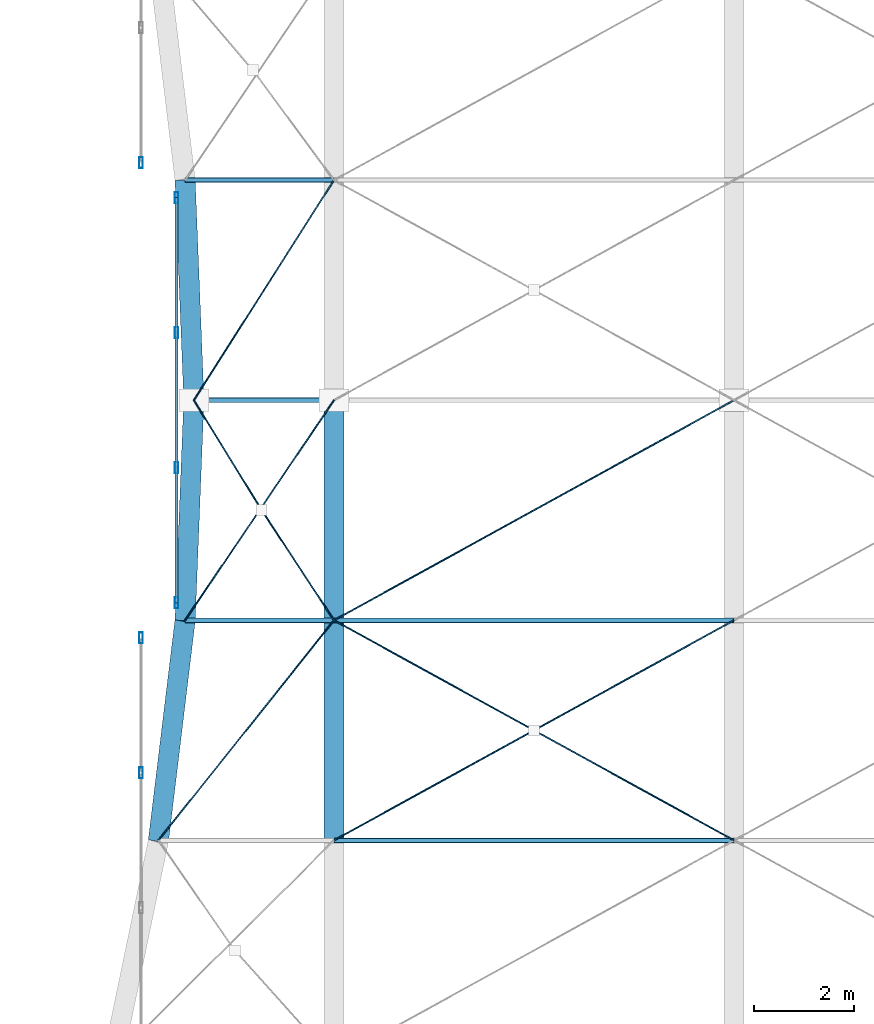
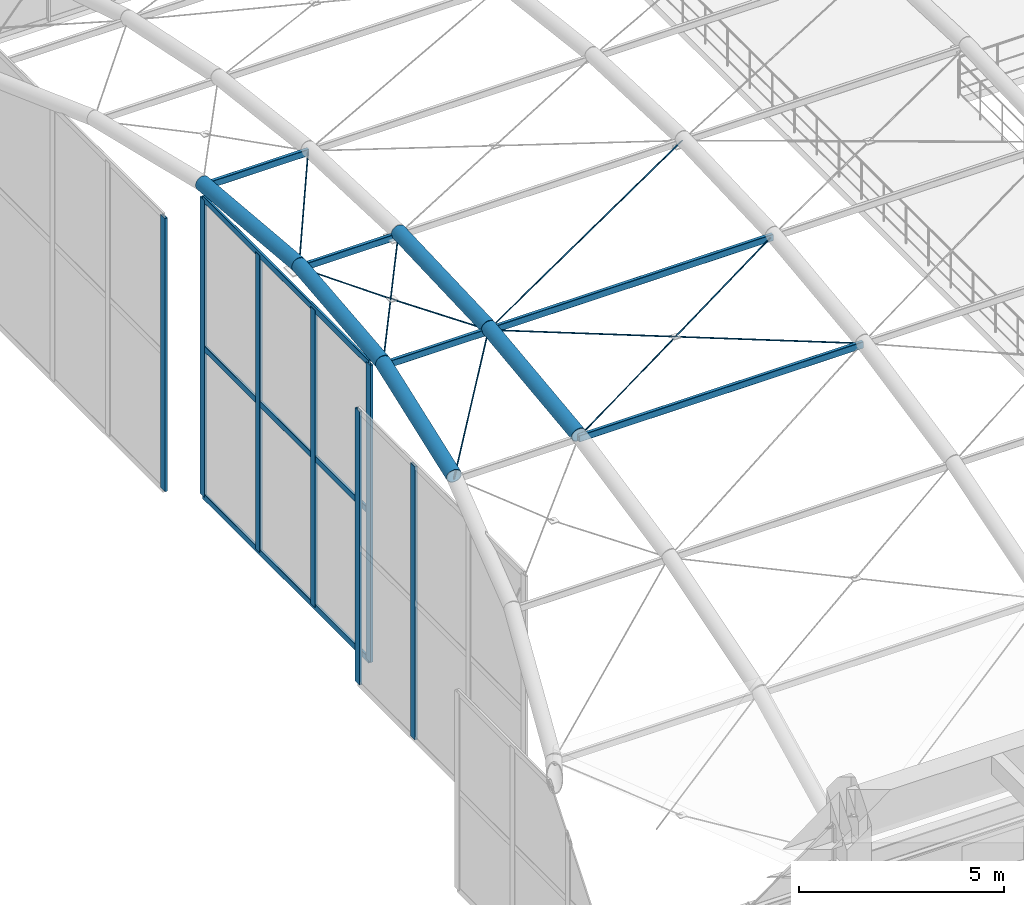
# One storey, part 14 of 144: 19 members, 10 beams, 3 elements without a shape of their own.
"""IFC4 building model written with IfcOpenShell, lengths in metres."""

import ifcopenshell
import ifcopenshell.guid

model = None  # the IFC model being written
_history = None  # IfcOwnerHistory: only IFC2X3 demands one
_inside = {}  # id of a spatial element -> (the spatial element, [elements in it])
_under = {}  # id of a project, library or spatial element -> (it, [spatial elements below it])
_declared = {}  # id of a project -> (the project, [libraries it declares])
_typed = {}  # id of a type object -> (the type object, [elements of that type])
_made_of = {}  # id of a material, layer set ... -> (it, [elements and type objects made of it])


def new_model(schema):
    """Start an empty IFC model of exactly this schema.

    Asked for "IFC4X3", IfcOpenShell would pick the latest addendum, in which some entities
    have other attributes; the version numbers below select the first issue.
    IFC2X3 requires an IfcOwnerHistory on every rooted entity: one is made here for all.
    """
    global model, _history
    if schema == "IFC4X3":
        model = ifcopenshell.file(schema_version=(4, 3, 0, 0))
    else:
        model = ifcopenshell.file(schema=schema)
    _inside.clear()
    _under.clear()
    _declared.clear()
    _typed.clear()
    _made_of.clear()
    _history = None
    if model.schema == "IFC2X3":
        org = make("IfcOrganization", Name="unknown")
        user = make(
            "IfcPersonAndOrganization",
            ThePerson=make("IfcPerson", FamilyName="unknown"),
            TheOrganization=org,
        )
        app = make(
            "IfcApplication",
            ApplicationDeveloper=org,
            Version="unknown",
            ApplicationFullName="unknown",
            ApplicationIdentifier="unknown",
        )
        _history = make(
            "IfcOwnerHistory",
            OwningUser=user,
            OwningApplication=app,
            ChangeAction="ADDED",
            CreationDate=0,
        )
    return model


def make(cls, **values):
    """One entity of the class cls with the attributes given. An attribute that is None is left unset."""
    return model.create_entity(
        cls, **{name: value for name, value in values.items() if value is not None}
    )


def rooted(cls, **values):
    """An entity with a GlobalId (a new one), such as an element, a storey or a relation."""
    return make(cls, GlobalId=ifcopenshell.guid.new(), OwnerHistory=_history, **values)


def si_unit(unit_type, name, prefix=None):
    """IfcSIUnit, for example si_unit("LENGTHUNIT", "METRE", prefix="MILLI")."""
    return make("IfcSIUnit", UnitType=unit_type, Prefix=prefix, Name=name)


def assignment(units):
    """IfcUnitAssignment: the units of a project."""
    return None if units is None else make("IfcUnitAssignment", Units=units)


def point(xyz):
    """IfcCartesianPoint."""
    return None if xyz is None else make("IfcCartesianPoint", Coordinates=xyz)


def direction(xyz):
    """IfcDirection."""
    return None if xyz is None else make("IfcDirection", DirectionRatios=xyz)


def frame(location, z_axis=None, x_axis=None):
    """IfcAxis2Placement3D, a coordinate frame: its origin and axes. An axis left out is left unset."""
    return make(
        "IfcAxis2Placement3D",
        Location=point(location),
        Axis=direction(z_axis),
        RefDirection=direction(x_axis),
    )


def frame_2d(location, x_axis=None):
    """IfcAxis2Placement2D, a coordinate frame in the plane: its origin and x axis."""
    return make(
        "IfcAxis2Placement2D", Location=point(location), RefDirection=direction(x_axis)
    )


def origin():
    """The frame at (0, 0, 0) with its axes left unset."""
    return frame((0.0, 0.0, 0.0))


def origin_2d():
    """The frame at (0, 0) in the plane with its x axis left unset."""
    return frame_2d((0.0, 0.0))


def place(relative_to, where):
    """IfcLocalPlacement: puts the frame where relative to a parent placement (None: the world)."""
    return make(
        "IfcLocalPlacement", PlacementRelTo=relative_to, RelativePlacement=where
    )


def context(
    kind, dimensions, precision=None, world=None, true_north=None, identifier=None
):
    """IfcGeometricRepresentationContext, for example the 3D "Model" context."""
    return make(
        "IfcGeometricRepresentationContext",
        ContextIdentifier=identifier,
        ContextType=kind,
        CoordinateSpaceDimension=dimensions,
        Precision=precision,
        WorldCoordinateSystem=world,
        TrueNorth=true_north,
    )


def subcontext(parent, identifier, kind, view, scale=None):
    """IfcGeometricRepresentationSubContext, for example "Body" below "Model"."""
    return make(
        "IfcGeometricRepresentationSubContext",
        ContextIdentifier=identifier,
        ContextType=kind,
        ParentContext=parent,
        TargetScale=scale,
        TargetView=view,
    )


def project(units=None, contexts=None):
    """IfcProject with its units and contexts."""
    return rooted(
        "IfcProject",
        Name="project",
        RepresentationContexts=contexts,
        UnitsInContext=assignment(units),
    )


def spatial(cls, under=None, at=None, **own):
    """A site, building, storey or space (cls), placed at a placement, below another one or the project."""
    s = rooted(cls, ObjectPlacement=at, **own)
    if under is not None:
        _under.setdefault(under.id(), (under, []))[1].append(s)
    return s


def profile(cls, at=None, kind="AREA", **sizes):
    """A parametric profile (cls). Its sizes go by their IFC names, for example OverallWidth=200.0."""
    return make(cls, ProfileType=kind, Position=at, **sizes)


def hollow_rectangle(**sizes):
    """IfcRectangleHollowProfileDef."""
    return profile("IfcRectangleHollowProfileDef", **sizes)


def circle(**sizes):
    """IfcCircleProfileDef."""
    return profile("IfcCircleProfileDef", **sizes)


def hollow_circle(**sizes):
    """IfcCircleHollowProfileDef."""
    return profile("IfcCircleHollowProfileDef", **sizes)


def extrude(swept, where, along, depth):
    """IfcExtrudedAreaSolid: the profile swept, set in the frame where, extruded along a direction by depth."""
    return make(
        "IfcExtrudedAreaSolid",
        SweptArea=swept,
        Position=where,
        ExtrudedDirection=direction(along),
        Depth=depth,
    )


def shape(context_of_items, identifier, shape_type, items):
    """IfcShapeRepresentation: the items that make up one representation, for example the "Body"."""
    return make(
        "IfcShapeRepresentation",
        ContextOfItems=context_of_items,
        RepresentationIdentifier=identifier,
        RepresentationType=shape_type,
        Items=items,
    )


def material(Name=None, Category=None):
    """IfcMaterial."""
    return make("IfcMaterial", Name=Name, Category=Category)


def material_profile(
    of_material, cross_section, Name=None, Category=None, Priority=None
):
    """IfcMaterialProfile: a cross section and its material."""
    return make(
        "IfcMaterialProfile",
        Name=Name,
        Material=of_material,
        Profile=cross_section,
        Priority=Priority,
        Category=Category,
    )


def profile_set(profiles, Name=None, composite=None):
    """IfcMaterialProfileSet."""
    return make(
        "IfcMaterialProfileSet",
        Name=Name,
        MaterialProfiles=profiles,
        CompositeProfile=composite,
    )


def made_of(thing, what):
    """Note that an element or type object is made of a material, layer set ...; save() writes the relation."""
    if what is not None:
        _made_of.setdefault(what.id(), (what, []))[1].append(thing)
    return thing


def type_object(cls, material=None, **own):
    """A type object (cls), such as IfcWallType, which elements share."""
    return made_of(rooted(cls, **own), material)


def element(
    cls,
    number,
    at=None,
    inside=None,
    cuts=None,
    type_object=None,
    material=None,
    context=None,
    identifier="Body",
    shape_type=None,
    held_by="IfcProductDefinitionShape",
    body=None,
    shapes=None,
    **own,
):
    """One element of the class cls, such as IfcWall. Its Tag is "e" and its number.

    at: its placement. inside: the storey or other place that contains it. cuts: it is an
    opening in that element (IfcRelVoidsElement). A single representation is given by context,
    identifier, shape_type and body (its items); several are given by shapes. held_by: the class
    of the entity that holds the representations. save() writes the other relations.
    """
    e = rooted(cls, Tag="e%d" % number, ObjectPlacement=at, **own)
    if body is not None:
        shapes = [shape(context, identifier, shape_type, body)]
    if shapes is not None:
        e.Representation = make(held_by, Representations=shapes)
    if inside is not None:
        _inside.setdefault(inside.id(), (inside, []))[1].append(e)
    if cuts is not None:
        rooted(
            "IfcRelVoidsElement", RelatingBuildingElement=cuts, RelatedOpeningElement=e
        )
    if type_object is not None:
        _typed.setdefault(type_object.id(), (type_object, []))[1].append(e)
    return made_of(e, material)


def aggregate(whole, parts):
    """IfcRelAggregates: a whole, such as a stair, and the parts it consists of."""
    return rooted("IfcRelAggregates", RelatingObject=whole, RelatedObjects=parts)


def save(model, path):
    """Write the relations noted so far, then the file.

    IfcRelAggregates (storeys below a building ...), IfcRelContainedInSpatialStructure (elements
    in a storey), IfcRelDefinesByType, IfcRelAssociatesMaterial and IfcRelDeclares: one each for
    every whole, place, type object, material and project.
    """
    for whole, parts in _under.values():
        aggregate(whole, parts)
    for where, things in _inside.values():
        rooted(
            "IfcRelContainedInSpatialStructure",
            RelatedElements=things,
            RelatingStructure=where,
        )
    for kind, things in _typed.values():
        rooted("IfcRelDefinesByType", RelatedObjects=things, RelatingType=kind)
    for what, things in _made_of.values():
        rooted("IfcRelAssociatesMaterial", RelatedObjects=things, RelatingMaterial=what)
    for by, libraries in _declared.values():
        rooted("IfcRelDeclares", RelatingContext=by, RelatedDefinitions=libraries)
    model.write(path)


model = new_model("IFC4")

# Units and contexts
model_context = context("Model", 3, precision=1e-05, world=origin(), true_north=direction((0.0, 1.0)))
body_context = subcontext(model_context, "Body", "Model", "MODEL_VIEW")
ifc_project = project(units=[si_unit("LENGTHUNIT", "METRE"), si_unit("AREAUNIT", "SQUARE_METRE"), si_unit("VOLUMEUNIT", "CUBIC_METRE"), si_unit("PLANEANGLEUNIT", "RADIAN"), si_unit("MASSUNIT", "GRAM", prefix="KILO")], contexts=[model_context])

# Site, building, storey
site_placement = place(None, origin())
site = spatial("IfcSite", under=ifc_project, at=site_placement, CompositionType="ELEMENT")
building_placement = place(site_placement, origin())
building = spatial("IfcBuilding", under=site, at=building_placement, Name="Varnabhumi Central Station", CompositionType="ELEMENT")
storey_placement = place(building_placement, frame((0.0, 0.0, 4.800048828125)))
storey = spatial("IfcBuildingStorey", under=building, at=storey_placement, Name="L01", CompositionType="ELEMENT", Elevation=4.800048828125)

# Beams
ifc_material_1 = material(Name="Structural steel E350", Category="steel")
ifc_material_profile_1 = material_profile(ifc_material_1, hollow_circle(Radius=0.203125, WallThickness=0.01611328125, at=origin_2d()), Name="Structural steel E350", Category="steel")
ifc_profile_set_1 = profile_set([ifc_material_profile_1], Name="Structural steel E350")
beam_type_1 = type_object("IfcBeamType", Name="BM-ARCH-CHS406", PredefinedType="BEAM", material=ifc_profile_set_1)
beam_1_placement = place(storey_placement, frame((4.491455078125, 49.199951171875, 7.291259765625), z_axis=(0.119383432495, 0.985637931225, 0.119438120279), x_axis=(-0.992744345989, 0.120244182838, 0.0)))
element("IfcBeam", 1, at=beam_1_placement, inside=storey, type_object=beam_type_1, Name="Forecourt Arrival Canopy Vault Arch Rib 1 Seg 4", PredefinedType="BEAM", context=body_context, shape_type="SweptSolid", body=[
    extrude(hollow_circle(Radius=0.203125, WallThickness=0.01611328125, at=origin_2d()), origin(), (0.0, 0.0, 1.0), 4.46435546875),
])
for number, where, z_axis, x_axis, name in (
    (2, (5.0244140625, 53.60009765625, 7.824462890625), (0.039832333677, 0.99841212452, 0.039832333677), (-0.999205116003, 0.039863970614, 0.0), "Forecourt Arrival Canopy Vault Arch Rib 1 Seg 5"),
    (3, (5.199951171875, 58.0, 8.0), (-0.039832333677, 0.99841212452, -0.039832333677), (-0.999205116003, -0.039863970614, 0.0), "Forecourt Arrival Canopy Vault Arch Rib 1 Seg 6"),
):
    element("IfcBeam", number, at=place(storey_placement, frame(where, z_axis=z_axis, x_axis=x_axis)), inside=storey, type_object=beam_type_1, Name=name, PredefinedType="BEAM", context=body_context, shape_type="SweptSolid", body=[
        extrude(hollow_circle(Radius=0.203125, WallThickness=0.01611328125, at=origin_2d()), origin(), (0.0, 0.0, 1.0), 4.406982421875),
    ])
beam_2_placement = place(storey_placement, frame((8.0, 49.199951171875, 7.291259765625), z_axis=(0.0, 0.992737769305, 0.120298467967), x_axis=(-1.0, 0.0, 0.0)))
element("IfcBeam", 4, at=beam_2_placement, inside=storey, type_object=beam_type_1, Name="Forecourt Arrival Canopy Vault Arch Rib 2 Seg 4", PredefinedType="BEAM", context=body_context, shape_type="SweptSolid", body=[
    extrude(hollow_circle(Radius=0.203125, WallThickness=0.01611328125, at=origin_2d()), origin(), (0.0, 0.0, 1.0), 4.432373046875),
])
beam_3_placement = place(storey_placement, frame((8.0, 53.60009765625, 7.824462890625), z_axis=(0.0, 0.999205116003, 0.039863970614), x_axis=(-1.0, 0.0, 0.0)))
element("IfcBeam", 5, at=beam_3_placement, inside=storey, type_object=beam_type_1, Name="Forecourt Arrival Canopy Vault Arch Rib 2 Seg 5", PredefinedType="BEAM", context=body_context, shape_type="SweptSolid", body=[
    extrude(hollow_circle(Radius=0.203125, WallThickness=0.01611328125, at=origin_2d()), origin(), (0.0, 0.0, 1.0), 4.4033203125),
])
ifc_material_profile_2 = material_profile(ifc_material_1, hollow_rectangle(XDim=0.10009765625, YDim=0.199951171875, WallThickness=0.008056640625, InnerFilletRadius=0.008056640625, OuterFilletRadius=0.01611328125, at=origin_2d()), Name="Structural steel E350", Category="steel")
ifc_profile_set_2 = profile_set([ifc_material_profile_2], Name="Structural steel E350")
beam_type_2 = type_object("IfcBeamType", Name="BM-PUR-RHS200", PredefinedType="JOIST", material=ifc_profile_set_2)
beam_4_placement = place(storey_placement, frame((5.0244140625, 53.60009765625, 7.724365234375), z_axis=(1.0, 0.0, 0.0), x_axis=(0.0, 1.0, 0.0)))
element("IfcBeam", 6, at=beam_4_placement, inside=storey, type_object=beam_type_2, Name="Forecourt Arrival Canopy Vault Purlin B1-L4", PredefinedType="JOIST", context=body_context, shape_type="SweptSolid", body=[
    extrude(hollow_rectangle(XDim=0.10009765625, YDim=0.199951171875, WallThickness=0.008056640625, InnerFilletRadius=0.008056640625, OuterFilletRadius=0.01611328125, at=origin_2d()), origin(), (0.0, 0.0, 1.0), 2.9755859375),
])
beam_5_placement = place(storey_placement, frame((5.199951171875, 58.0, 7.89990234375), z_axis=(1.0, 0.0, 0.0), x_axis=(0.0, 1.0, 0.0)))
element("IfcBeam", 7, at=beam_5_placement, inside=storey, type_object=beam_type_2, Name="Forecourt Arrival Canopy Vault Purlin B1-L5", PredefinedType="JOIST", context=body_context, shape_type="SweptSolid", body=[
    extrude(hollow_rectangle(XDim=0.10009765625, YDim=0.199951171875, WallThickness=0.008056640625, InnerFilletRadius=0.008056640625, OuterFilletRadius=0.01611328125, at=origin_2d()), origin(), (0.0, 0.0, 1.0), 2.800048828125),
])
beam_6_placement = place(storey_placement, frame((5.0244140625, 62.39990234375, 7.724365234375), z_axis=(1.0, 0.0, 0.0), x_axis=(0.0, 1.0, 0.0)))
element("IfcBeam", 8, at=beam_6_placement, inside=storey, type_object=beam_type_2, Name="Forecourt Arrival Canopy Vault Purlin B1-L6", PredefinedType="JOIST", context=body_context, shape_type="SweptSolid", body=[
    extrude(hollow_rectangle(XDim=0.10009765625, YDim=0.199951171875, WallThickness=0.008056640625, InnerFilletRadius=0.008056640625, OuterFilletRadius=0.01611328125, at=origin_2d()), origin(), (0.0, 0.0, 1.0), 2.9755859375),
])
for number, where, z_axis, x_axis, name in (
    (9, (8.0, 49.199951171875, 7.19140625), (1.0, 0.0, 0.0), (0.0, 1.0, 0.0), "Forecourt Arrival Canopy Vault Purlin B2-L3"),
    (10, (8.0, 53.60009765625, 7.724365234375), (1.0, 0.0, 0.0), (0.0, 1.0, 0.0), "Forecourt Arrival Canopy Vault Purlin B2-L4"),
):
    element("IfcBeam", number, at=place(storey_placement, frame(where, z_axis=z_axis, x_axis=x_axis)), inside=storey, type_object=beam_type_2, Name=name, PredefinedType="JOIST", context=body_context, shape_type="SweptSolid", body=[
        extrude(hollow_rectangle(XDim=0.10009765625, YDim=0.199951171875, WallThickness=0.008056640625, InnerFilletRadius=0.008056640625, OuterFilletRadius=0.01611328125, at=origin_2d()), origin(), (0.0, 0.0, 1.0), 8.0),
    ])

# Curtain wall, members
ifc_material_2 = material(Name="Anodised aluminium 6063-T6", Category="aluminium")
curtain_wall_type = type_object("IfcCurtainWallType", Name="CW-VAULT-ARCH-V1", PredefinedType="NOTDEFINED", material=ifc_material_2)
curtain_wall_1_placement = place(storey_placement, origin())
curtain_wall_1 = element("IfcCurtainWall", 11, at=curtain_wall_1_placement, inside=storey, type_object=curtain_wall_type, Name="Curtain Wall CW-V12", PredefinedType="NOTDEFINED")
ifc_material_profile_3 = material_profile(ifc_material_2, hollow_rectangle(XDim=0.074951171875, YDim=0.219970703125, WallThickness=0.0048828125, InnerFilletRadius=0.0009765625, OuterFilletRadius=0.006103515625, at=origin_2d()), Name="Anodised aluminium 6063-T6", Category="aluminium")
ifc_profile_set_3 = profile_set([ifc_material_profile_3], Name="Anodised aluminium 6063-T6")
member_type_1 = type_object("IfcMemberType", Name="CW-MUL-220", PredefinedType="MULLION", material=ifc_profile_set_3)
member_1_placement = place(storey_placement, frame((4.14111328125, 50.550048828125, -1.199951171875), z_axis=(0.0, 0.0, 1.0), x_axis=(1.0, 0.0, 0.0)))
member_1 = element("IfcMember", 12, at=member_1_placement, type_object=member_type_1, Name="Curtain Wall Mullion CW-V12-M3", PredefinedType="MULLION", context=body_context, shape_type="SweptSolid", body=[
    extrude(hollow_rectangle(XDim=0.074951171875, YDim=0.219970703125, WallThickness=0.0048828125, InnerFilletRadius=0.0009765625, OuterFilletRadius=0.006103515625, at=origin_2d()), origin(), (0.0, 0.0, 1.0), 8.141357421875),
])
member_2_placement = place(storey_placement, frame((4.14111328125, 53.25, -1.199951171875), z_axis=(0.0, 0.0, 1.0), x_axis=(1.0, 0.0, 0.0)))
member_2 = element("IfcMember", 13, at=member_2_placement, type_object=member_type_1, Name="Curtain Wall Mullion CW-V12-M4", PredefinedType="MULLION", context=body_context, shape_type="SweptSolid", body=[
    extrude(hollow_rectangle(XDim=0.074951171875, YDim=0.219970703125, WallThickness=0.0048828125, InnerFilletRadius=0.0009765625, OuterFilletRadius=0.006103515625, at=origin_2d()), origin(), (0.0, 0.0, 1.0), 8.141357421875),
])
aggregate(curtain_wall_1, [member_1, member_2])

curtain_wall_2_placement = place(storey_placement, origin())
curtain_wall_2 = element("IfcCurtainWall", 14, at=curtain_wall_2_placement, inside=storey, type_object=curtain_wall_type, Name="Curtain Wall CW-V13", PredefinedType="NOTDEFINED")
member_3_placement = place(storey_placement, frame((4.85009765625, 53.949951171875, -1.199951171875), z_axis=(0.0, 0.0, 1.0), x_axis=(1.0, 0.0, 0.0)))
member_3 = element("IfcMember", 15, at=member_3_placement, type_object=member_type_1, Name="Curtain Wall Mullion CW-V13-M1", PredefinedType="MULLION", context=body_context, shape_type="SweptSolid", body=[
    extrude(hollow_rectangle(XDim=0.074951171875, YDim=0.219970703125, WallThickness=0.0048828125, InnerFilletRadius=0.0009765625, OuterFilletRadius=0.006103515625, at=origin_2d()), origin(), (0.0, 0.0, 1.0), 8.849853515625),
])
member_4_placement = place(storey_placement, frame((4.85009765625, 56.64990234375, -1.199951171875), z_axis=(0.0, 0.0, 1.0), x_axis=(1.0, 0.0, 0.0)))
member_4 = element("IfcMember", 16, at=member_4_placement, type_object=member_type_1, Name="Curtain Wall Mullion CW-V13-M2", PredefinedType="MULLION", context=body_context, shape_type="SweptSolid", body=[
    extrude(hollow_rectangle(XDim=0.074951171875, YDim=0.219970703125, WallThickness=0.0048828125, InnerFilletRadius=0.0009765625, OuterFilletRadius=0.006103515625, at=origin_2d()), origin(), (0.0, 0.0, 1.0), 8.849853515625),
])
member_5_placement = place(storey_placement, frame((4.85009765625, 59.35009765625, -1.199951171875), z_axis=(0.0, 0.0, 1.0), x_axis=(1.0, 0.0, 0.0)))
member_5 = element("IfcMember", 17, at=member_5_placement, type_object=member_type_1, Name="Curtain Wall Mullion CW-V13-M3", PredefinedType="MULLION", context=body_context, shape_type="SweptSolid", body=[
    extrude(hollow_rectangle(XDim=0.074951171875, YDim=0.219970703125, WallThickness=0.0048828125, InnerFilletRadius=0.0009765625, OuterFilletRadius=0.006103515625, at=origin_2d()), origin(), (0.0, 0.0, 1.0), 8.849853515625),
])
member_6_placement = place(storey_placement, frame((4.85009765625, 62.050048828125, -1.199951171875), z_axis=(0.0, 0.0, 1.0), x_axis=(1.0, 0.0, 0.0)))
member_6 = element("IfcMember", 18, at=member_6_placement, type_object=member_type_1, Name="Curtain Wall Mullion CW-V13-M4", PredefinedType="MULLION", context=body_context, shape_type="SweptSolid", body=[
    extrude(hollow_rectangle(XDim=0.074951171875, YDim=0.219970703125, WallThickness=0.0048828125, InnerFilletRadius=0.0009765625, OuterFilletRadius=0.006103515625, at=origin_2d()), origin(), (0.0, 0.0, 1.0), 8.849853515625),
])

# Curtain wall, member
curtain_wall_3_placement = place(storey_placement, origin())
curtain_wall_3 = element("IfcCurtainWall", 19, at=curtain_wall_3_placement, inside=storey, type_object=curtain_wall_type, Name="Curtain Wall CW-V14", PredefinedType="NOTDEFINED")
member_7_placement = place(storey_placement, frame((4.14111328125, 62.75, -1.199951171875), z_axis=(0.0, 0.0, 1.0), x_axis=(1.0, 0.0, 0.0)))
member_7 = element("IfcMember", 20, at=member_7_placement, type_object=member_type_1, Name="Curtain Wall Mullion CW-V14-M1", PredefinedType="MULLION", context=body_context, shape_type="SweptSolid", body=[
    extrude(hollow_rectangle(XDim=0.074951171875, YDim=0.219970703125, WallThickness=0.0048828125, InnerFilletRadius=0.0009765625, OuterFilletRadius=0.006103515625, at=origin_2d()), origin(), (0.0, 0.0, 1.0), 8.141357421875),
])
aggregate(curtain_wall_3, [member_7])

# Member
ifc_material_profile_4 = material_profile(ifc_material_2, hollow_rectangle(XDim=0.06494140625, YDim=0.179931640625, WallThickness=0.00390625, InnerFilletRadius=0.001953125, OuterFilletRadius=0.006103515625, at=origin_2d()), Name="Anodised aluminium 6063-T6", Category="aluminium")
ifc_profile_set_4 = profile_set([ifc_material_profile_4], Name="Anodised aluminium 6063-T6")
member_type_2 = type_object("IfcMemberType", Name="CW-TR-180", PredefinedType="USERDEFINED", material=ifc_profile_set_4)
member_8_placement = place(storey_placement, frame((4.85009765625, 53.949951171875, -1.199951171875), z_axis=(0.0, 1.0, 0.0), x_axis=(-1.0, 0.0, 0.0)))
member_8 = element("IfcMember", 21, at=member_8_placement, type_object=member_type_2, Name="Curtain Wall Transom CW-V13-T1", ObjectType="TRANSOM", PredefinedType="USERDEFINED", context=body_context, shape_type="SweptSolid", body=[
    extrude(hollow_rectangle(XDim=0.06494140625, YDim=0.179931640625, WallThickness=0.00390625, InnerFilletRadius=0.001953125, OuterFilletRadius=0.006103515625, at=origin_2d()), origin(), (0.0, 0.0, 1.0), 8.10009765625),
])

member_9_placement = place(storey_placement, frame((4.85009765625, 53.949951171875, 3.224853515625), z_axis=(0.0, 1.0, 0.0), x_axis=(-1.0, 0.0, 0.0)))
member_9 = element("IfcMember", 22, at=member_9_placement, type_object=member_type_2, Name="Curtain Wall Transom CW-V13-T2", ObjectType="TRANSOM", PredefinedType="USERDEFINED", context=body_context, shape_type="SweptSolid", body=[
    extrude(hollow_rectangle(XDim=0.06494140625, YDim=0.179931640625, WallThickness=0.00390625, InnerFilletRadius=0.001953125, OuterFilletRadius=0.006103515625, at=origin_2d()), origin(), (0.0, 0.0, 1.0), 8.10009765625),
])

member_10_placement = place(storey_placement, frame((4.85009765625, 53.949951171875, 7.64990234375), z_axis=(0.0, 1.0, 0.0), x_axis=(-1.0, 0.0, 0.0)))
member_10 = element("IfcMember", 23, at=member_10_placement, type_object=member_type_2, Name="Curtain Wall Transom CW-V13-T3", ObjectType="TRANSOM", PredefinedType="USERDEFINED", context=body_context, shape_type="SweptSolid", body=[
    extrude(hollow_rectangle(XDim=0.06494140625, YDim=0.179931640625, WallThickness=0.00390625, InnerFilletRadius=0.001953125, OuterFilletRadius=0.006103515625, at=origin_2d()), origin(), (0.0, 0.0, 1.0), 8.10009765625),
])

aggregate(curtain_wall_2, [member_3, member_4, member_5, member_6, member_8, member_9, member_10])

# Members
ifc_material_3 = material(Name="Spiral-strand steel S1570", Category="steel")
ifc_material_profile_5 = material_profile(ifc_material_3, circle(Radius=0.013916015625, at=origin_2d()), Name="Spiral-strand steel S1570", Category="steel")
ifc_profile_set_5 = profile_set([ifc_material_profile_5], Name="Spiral-strand steel S1570")
member_type_3 = type_object("IfcMemberType", Name="MBR-CABLE-D28", PredefinedType="USERDEFINED", material=ifc_profile_set_5)
member_11_placement = place(storey_placement, frame((4.491455078125, 49.199951171875, 7.21142578125), z_axis=(0.620663381255, 0.778388151162, 0.094280715418), x_axis=(-0.78187087555, 0.623440401295, 0.0)))
element("IfcMember", 24, at=member_11_placement, inside=storey, type_object=member_type_3, Name="Forecourt Arrival Canopy Vault Cable-Net Tie B1-P4A", ObjectType="TENSION CABLE", PredefinedType="USERDEFINED", context=body_context, shape_type="SweptSolid", body=[
    extrude(circle(Radius=0.013916015625, at=origin_2d()), origin(), (0.0, 0.0, 1.0), 5.65283203125),
])
member_12_placement = place(storey_placement, frame((5.0244140625, 53.60009765625, 7.744384765625), z_axis=(0.55989796879, 0.827902953194, 0.03302975382), x_axis=(-0.828354929468, 0.560203633357, 0.0)))
element("IfcMember", 25, at=member_12_placement, inside=storey, type_object=member_type_3, Name="Forecourt Arrival Canopy Vault Cable-Net Tie B1-P5A", ObjectType="TENSION CABLE", PredefinedType="USERDEFINED", context=body_context, shape_type="SweptSolid", body=[
    extrude(circle(Radius=0.013916015625, at=origin_2d()), origin(), (0.0, 0.0, 1.0), 5.314453125),
])
member_13_placement = place(storey_placement, frame((5.199951171875, 58.0, 7.919921875), z_axis=(0.524463444792, -0.850754293613, -0.033988630086), x_axis=(0.851246126943, 0.524766644675, 0.0)))
element("IfcMember", 26, at=member_13_placement, inside=storey, type_object=member_type_3, Name="Forecourt Arrival Canopy Vault Cable-Net Split Tie B1-P5B1", ObjectType="TENSION CABLE", PredefinedType="USERDEFINED", context=body_context, shape_type="SweptSolid", body=[
    extrude(circle(Radius=0.013916015625, at=origin_2d()), origin(), (0.0, 0.0, 1.0), 2.5859375),
])
member_14_placement = place(storey_placement, frame((6.55615234375, 55.800048828125, 7.83203125), z_axis=(0.548386791136, -0.835561950444, -0.033288951305), x_axis=(0.836025301353, 0.548690892487, 0.0)))
element("IfcMember", 27, at=member_14_placement, inside=storey, type_object=member_type_3, Name="Forecourt Arrival Canopy Vault Cable-Net Split Tie B1-P5B2", ObjectType="TENSION CABLE", PredefinedType="USERDEFINED", context=body_context, shape_type="SweptSolid", body=[
    extrude(circle(Radius=0.013916015625, at=origin_2d()), origin(), (0.0, 0.0, 1.0), 2.6328125),
])
member_15_placement = place(storey_placement, frame((5.199951171875, 58.0, 7.919921875), z_axis=(0.536586782988, 0.843174383383, -0.033639017959), x_axis=(-0.843651849763, 0.536890637273, 0.0)))
element("IfcMember", 28, at=member_15_placement, inside=storey, type_object=member_type_3, Name="Forecourt Arrival Canopy Vault Cable-Net Tie B1-P6A", ObjectType="TENSION CABLE", PredefinedType="USERDEFINED", context=body_context, shape_type="SweptSolid", body=[
    extrude(circle(Radius=0.013916015625, at=origin_2d()), origin(), (0.0, 0.0, 1.0), 5.21826171875),
])
member_16_placement = place(storey_placement, frame((8.0, 49.199951171875, 7.21142578125), z_axis=(0.874720140327, 0.481112093784, 0.0582737447), x_axis=(-0.481931067474, 0.876209133828, 0.0)))
element("IfcMember", 29, at=member_16_placement, inside=storey, type_object=member_type_3, Name="Forecourt Arrival Canopy Vault Cable-Net Tie B2-P4A", ObjectType="TENSION CABLE", PredefinedType="USERDEFINED", context=body_context, shape_type="SweptSolid", body=[
    extrude(circle(Radius=0.013916015625, at=origin_2d()), origin(), (0.0, 0.0, 1.0), 9.145751953125),
])
member_17_placement = place(storey_placement, frame((8.0, 53.60009765625, 7.744384765625), z_axis=(0.874707545275, -0.48113186023, -0.058299599575), x_axis=(0.481951596342, 0.876197842262, 0.0)))
element("IfcMember", 30, at=member_17_placement, inside=storey, type_object=member_type_3, Name="Forecourt Arrival Canopy Vault Cable-Net Split Tie B2-P4B1", ObjectType="TENSION CABLE", PredefinedType="USERDEFINED", context=body_context, shape_type="SweptSolid", body=[
    extrude(circle(Radius=0.013916015625, at=origin_2d()), origin(), (0.0, 0.0, 1.0), 4.572998046875),
])
member_18_placement = place(storey_placement, frame((12.0, 51.39990234375, 7.477783203125), z_axis=(0.874732734676, -0.481092326182, -0.05824788901), x_axis=(0.481910537812, 0.876220425204, 0.0)))
element("IfcMember", 31, at=member_18_placement, inside=storey, type_object=member_type_3, Name="Forecourt Arrival Canopy Vault Cable-Net Split Tie B2-P4B2", ObjectType="TENSION CABLE", PredefinedType="USERDEFINED", context=body_context, shape_type="SweptSolid", body=[
    extrude(circle(Radius=0.013916015625, at=origin_2d()), origin(), (0.0, 0.0, 1.0), 4.57275390625),
])
member_19_placement = place(storey_placement, frame((8.0, 53.60009765625, 7.744384765625), z_axis=(0.876058524905, 0.481821494624, 0.019222597638), x_axis=(-0.481910537812, 0.876220425204, 0.0)))
element("IfcMember", 32, at=member_19_placement, inside=storey, type_object=member_type_3, Name="Forecourt Arrival Canopy Vault Cable-Net Tie B2-P5A", ObjectType="TENSION CABLE", PredefinedType="USERDEFINED", context=body_context, shape_type="SweptSolid", body=[
    extrude(circle(Radius=0.013916015625, at=origin_2d()), origin(), (0.0, 0.0, 1.0), 9.1318359375),
])

save(model, "model.ifc")
